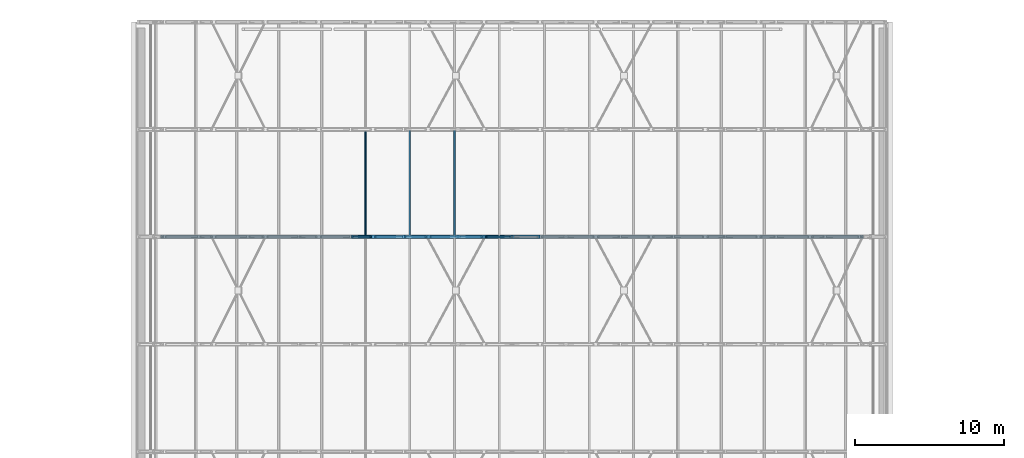
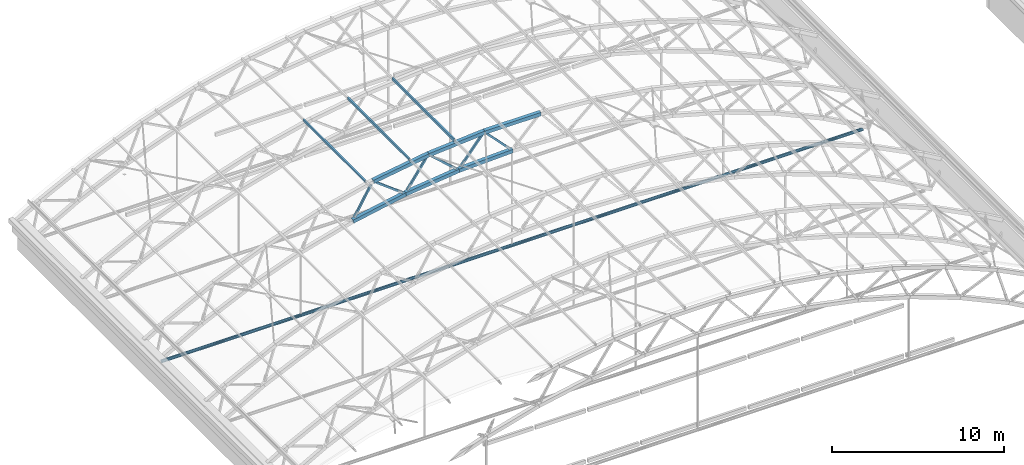
# One storey, part 21 of 127: 16 members.
"""IFC4 building model written with IfcOpenShell, lengths in metres."""

from ifc_helpers import new_model, si_unit, direction, frame, origin, origin_2d, place, context, subcontext, project, spatial, hollow_rectangle, hollow_circle, extrude, material, material_profile, profile_set, type_object, element, save


model = new_model("IFC4")

# Units and contexts
model_context = context("Model", 3, precision=1e-05, world=origin(), true_north=direction((0.0, 1.0)))
body_context = subcontext(model_context, "Body", "Model", "MODEL_VIEW")
ifc_project = project(units=[si_unit("LENGTHUNIT", "METRE"), si_unit("AREAUNIT", "SQUARE_METRE"), si_unit("VOLUMEUNIT", "CUBIC_METRE"), si_unit("PLANEANGLEUNIT", "RADIAN"), si_unit("MASSUNIT", "GRAM", prefix="KILO")], contexts=[model_context])

# Site, building, storey
site_placement = place(None, origin())
site = spatial("IfcSite", under=ifc_project, at=site_placement, CompositionType="ELEMENT")
building_placement = place(site_placement, origin())
building = spatial("IfcBuilding", under=site, at=building_placement, Name="Verrick Yard Athletic Hall", CompositionType="ELEMENT")
storey_placement = place(building_placement, frame((0.0, 0.0, 14.0)))
storey = spatial("IfcBuildingStorey", under=building, at=storey_placement, Name="L03", CompositionType="ELEMENT", Elevation=14.0)

# Members
ifc_material = material(Name="Structural steel HSS Class C 350W (CSA G40.20/G40.21)", Category="steel")
ifc_material_profile_1 = material_profile(ifc_material, hollow_rectangle(XDim=0.25390625, YDim=0.25390625, WallThickness=0.009521484375, at=origin_2d()), Name="HSS254x254x9.5")
ifc_profile_set_1 = profile_set([ifc_material_profile_1], Name="Structural steel HSS Class C 350W (CSA G40.20/G40.21)")
member_type_1 = type_object("IfcMemberType", Name="HB bottom chord HSS254x254x9.5", PredefinedType="CHORD", material=ifc_profile_set_1)
for number, where, z_axis, x_axis, name in (
    (1, (41.283447265625, 93.60009765625, 5.4912109375), (0.980848695375, 0.0, 0.194771242181), (0.0, 1.0, 0.0), "Truss TB4 bottom chord 5"),
    (2, (44.820556640625, 93.60009765625, 6.193359375), (0.993094882284, 0.0, 0.117313915545), (0.0, 1.0, 0.0), "Truss TB4 bottom chord 6"),
    (3, (48.401611328125, 93.60009765625, 6.615966796875), (0.999229864493, 0.0, 0.039238729647), (0.0, 1.0, 0.0), "Truss TB4 bottom chord 7"),
):
    element("IfcMember", number, at=place(storey_placement, frame(where, z_axis=z_axis, x_axis=x_axis)), inside=storey, type_object=member_type_1, Name=name, PredefinedType="CHORD", context=body_context, shape_type="SweptSolid", body=[
        extrude(hollow_rectangle(XDim=0.25390625, YDim=0.25390625, WallThickness=0.009521484375, at=origin_2d()), origin(), (0.0, 0.0, 1.0), 3.59619140625),
    ])
ifc_material_profile_2 = material_profile(ifc_material, hollow_rectangle(XDim=0.1015625, YDim=0.203125, WallThickness=0.009521484375, at=origin_2d()), Name="HSS203x102x9.5")
ifc_profile_set_2 = profile_set([ifc_material_profile_2], Name="Structural steel HSS Class C 350W (CSA G40.20/G40.21)")
member_type_2 = type_object("IfcMemberType", Name="HB purlin HSS203x102x9.5", PredefinedType="PURLIN", material=ifc_profile_set_2)
for number, where, z_axis, x_axis, name in (
    (4, (42.176025390625, 93.60009765625, 7.959228515625), (0.0, 1.0, 0.0), (-0.972458956474, 0.0, -0.23307418985), "HB-PU-B-4-6"),
    (5, (45.150390625, 93.60009765625, 8.464599609375), (0.0, 1.0, 0.0), (-0.987728086354, 0.0, -0.156183313539), "HB-PU-B-4-7"),
    (6, (48.14794921875, 93.60009765625, 8.794677734375), (0.0, 1.0, 0.0), (-0.996927304266, 0.0, -0.078332305011), "HB-PU-B-4-8"),
):
    element("IfcMember", number, at=place(storey_placement, frame(where, z_axis=z_axis, x_axis=x_axis)), inside=storey, type_object=member_type_2, Name=name, PredefinedType="PURLIN", context=body_context, shape_type="SweptSolid", body=[
        extrude(hollow_rectangle(XDim=0.1015625, YDim=0.203125, WallThickness=0.009521484375, at=origin_2d()), origin(), (0.0, 0.0, 1.0), 7.199951171875),
    ])
ifc_material_profile_3 = material_profile(ifc_material, hollow_circle(Radius=0.109619140625, WallThickness=0.0126953125, at=origin_2d()), Name="HSS219x13")
ifc_profile_set_3 = profile_set([ifc_material_profile_3], Name="Structural steel HSS Class C 350W (CSA G40.20/G40.21)")
member_type_3 = type_object("IfcMemberType", Name="HB tie rod HSS219x13", PredefinedType="MEMBER", material=ifc_profile_set_3)
member_1_placement = place(storey_placement, frame((28.456298828125, 93.60009765625, 0.0), z_axis=(1.0, 0.0, 0.0), x_axis=(0.0, 1.0, 0.0)))
element("IfcMember", 7, at=member_1_placement, inside=storey, type_object=member_type_3, Name="Truss TB4 tie 1", PredefinedType="MEMBER", context=body_context, shape_type="SweptSolid", body=[
    extrude(hollow_circle(Radius=0.109619140625, WallThickness=0.0126953125, at=origin_2d()), origin(), (0.0, 0.0, 1.0), 47.08740234375),
])
ifc_material_profile_4 = material_profile(ifc_material, hollow_rectangle(XDim=0.25390625, YDim=0.25390625, WallThickness=0.009521484375, at=origin_2d()), Name="HSS254x254x9.5")
ifc_profile_set_4 = profile_set([ifc_material_profile_4], Name="Structural steel HSS Class C 350W (CSA G40.20/G40.21)")
member_type_4 = type_object("IfcMemberType", Name="HB top chord HSS254x254x9.5", PredefinedType="CHORD", material=ifc_profile_set_4)
member_2_placement = place(storey_placement, frame((42.655517578125, 93.60009765625, 7.838623046875), z_axis=(0.987726014692, 0.0, 0.156196414495), x_axis=(0.0, 1.0, 0.0)))
element("IfcMember", 8, at=member_2_placement, inside=storey, type_object=member_type_4, Name="Truss TB4 top chord 6", PredefinedType="CHORD", context=body_context, shape_type="SweptSolid", body=[
    extrude(hollow_rectangle(XDim=0.25390625, YDim=0.25390625, WallThickness=0.009521484375, at=origin_2d()), origin(), (0.0, 0.0, 1.0), 3.7529296875),
])
member_3_placement = place(storey_placement, frame((46.372314453125, 93.60009765625, 8.426025390625), z_axis=(0.99692762922, 0.0, 0.07832816925), x_axis=(0.0, 1.0, 0.0)))
element("IfcMember", 9, at=member_3_placement, inside=storey, type_object=member_type_4, Name="Truss TB4 top chord 7", PredefinedType="CHORD", context=body_context, shape_type="SweptSolid", body=[
    extrude(hollow_rectangle(XDim=0.25390625, YDim=0.25390625, WallThickness=0.009521484375, at=origin_2d()), origin(), (0.0, 0.0, 1.0), 3.752685546875),
])
member_4_placement = place(storey_placement, frame((50.12353515625, 93.60009765625, 8.72021484375), z_axis=(1.0, 0.0, 0.0), x_axis=(0.0, 1.0, 0.0)))
element("IfcMember", 10, at=member_4_placement, inside=storey, type_object=member_type_4, Name="Truss TB4 top chord 8", PredefinedType="CHORD", context=body_context, shape_type="SweptSolid", body=[
    extrude(hollow_rectangle(XDim=0.25390625, YDim=0.25390625, WallThickness=0.009521484375, at=origin_2d()), origin(), (0.0, 0.0, 1.0), 3.7529296875),
])
ifc_material_profile_5 = material_profile(ifc_material, hollow_rectangle(XDim=0.126953125, YDim=0.126953125, WallThickness=0.009521484375, at=origin_2d()), Name="HSS127x127x9.5")
ifc_profile_set_5 = profile_set([ifc_material_profile_5], Name="Structural steel HSS Class C 350W (CSA G40.20/G40.21)")
member_type_5 = type_object("IfcMemberType", Name="HB truss web HSS127x127x9.5", PredefinedType="BRACE", material=ifc_profile_set_5)
member_5_placement = place(storey_placement, frame((41.404052734375, 93.60009765625, 5.705078125), z_axis=(0.504625153938, 0.0, 0.863338551214), x_axis=(0.0, 1.0, 0.0)))
element("IfcMember", 11, at=member_5_placement, inside=storey, type_object=member_type_5, Name="Truss TB4 web 9", PredefinedType="BRACE", context=body_context, shape_type="SweptSolid", body=[
    extrude(hollow_rectangle(XDim=0.126953125, YDim=0.126953125, WallThickness=0.009521484375, at=origin_2d()), origin(), (0.0, 0.0, 1.0), 2.233642578125),
])
member_6_placement = place(storey_placement, frame((42.839111328125, 93.60009765625, 7.694580078125), z_axis=(0.796206425538, 0.0, -0.605025063887), x_axis=(0.0, 1.0, 0.0)))
element("IfcMember", 12, at=member_6_placement, inside=storey, type_object=member_type_5, Name="Truss TB4 web 10", PredefinedType="BRACE", context=body_context, shape_type="SweptSolid", body=[
    extrude(hollow_rectangle(XDim=0.126953125, YDim=0.126953125, WallThickness=0.009521484375, at=origin_2d()), origin(), (0.0, 0.0, 1.0), 2.2333984375),
])
for number, where, z_axis, x_axis, name in (
    (13, (44.95751953125, 93.60009765625, 6.39697265625), (0.570664111571, 0.0, 0.821183579819), (0.0, 1.0, 0.0), "Truss TB4 web 11"),
    (14, (46.5439453125, 93.60009765625, 8.26806640625), (0.746389338881, 0.0, -0.66550954524), (0.0, 1.0, 0.0), "Truss TB4 web 12"),
    (15, (48.55419921875, 93.60009765625, 6.808349609375), (0.633267548908, 0.0, 0.773932950262), (0.0, 1.0, 0.0), "Truss TB4 web 13"),
):
    element("IfcMember", number, at=place(storey_placement, frame(where, z_axis=z_axis, x_axis=x_axis)), inside=storey, type_object=member_type_5, Name=name, PredefinedType="BRACE", context=body_context, shape_type="SweptSolid", body=[
        extrude(hollow_rectangle(XDim=0.126953125, YDim=0.126953125, WallThickness=0.009521484375, at=origin_2d()), origin(), (0.0, 0.0, 1.0), 2.233642578125),
    ])
member_7_placement = place(storey_placement, frame((50.282470703125, 93.60009765625, 8.54931640625), z_axis=(0.691917233653, 0.0, -0.721976829112), x_axis=(0.0, 1.0, 0.0)))
element("IfcMember", 16, at=member_7_placement, inside=storey, type_object=member_type_5, Name="Truss TB4 web 14", PredefinedType="BRACE", context=body_context, shape_type="SweptSolid", body=[
    extrude(hollow_rectangle(XDim=0.126953125, YDim=0.126953125, WallThickness=0.009521484375, at=origin_2d()), origin(), (0.0, 0.0, 1.0), 2.2333984375),
])

save(model, "model.ifc")
